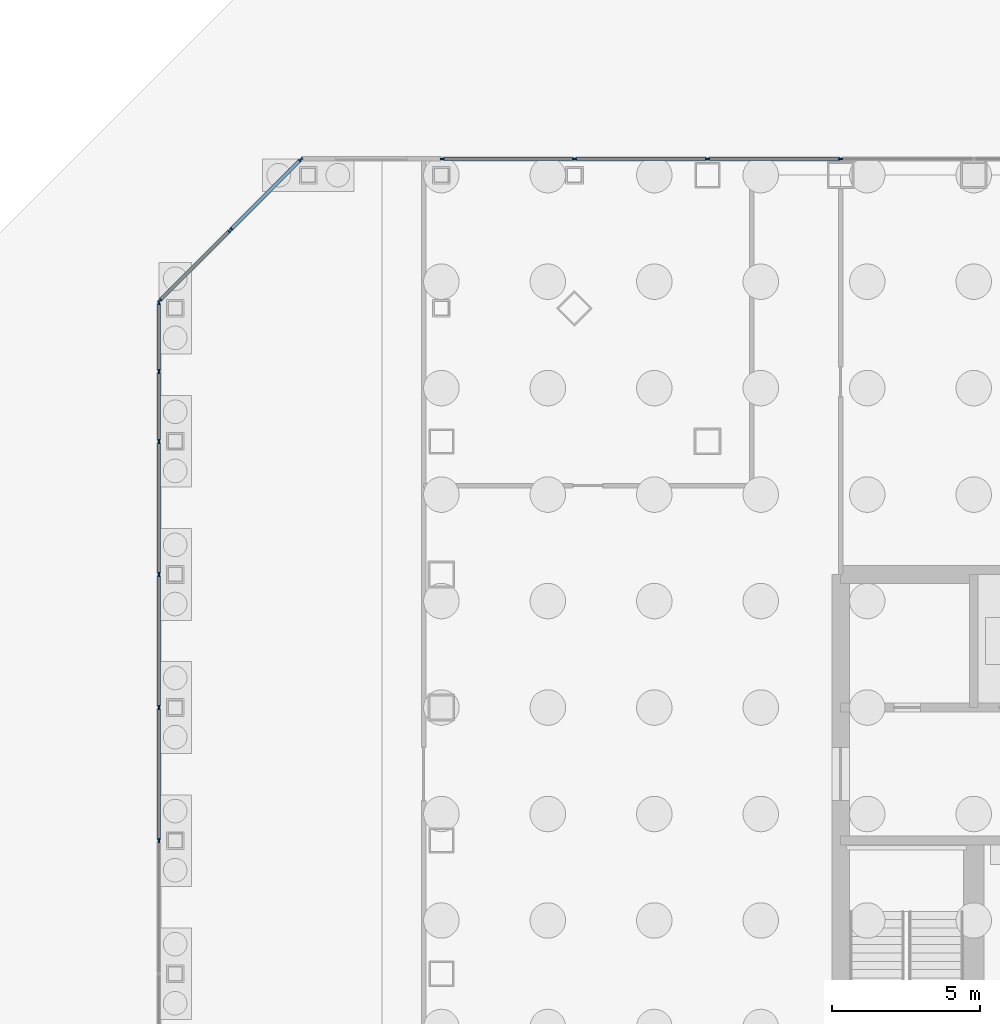
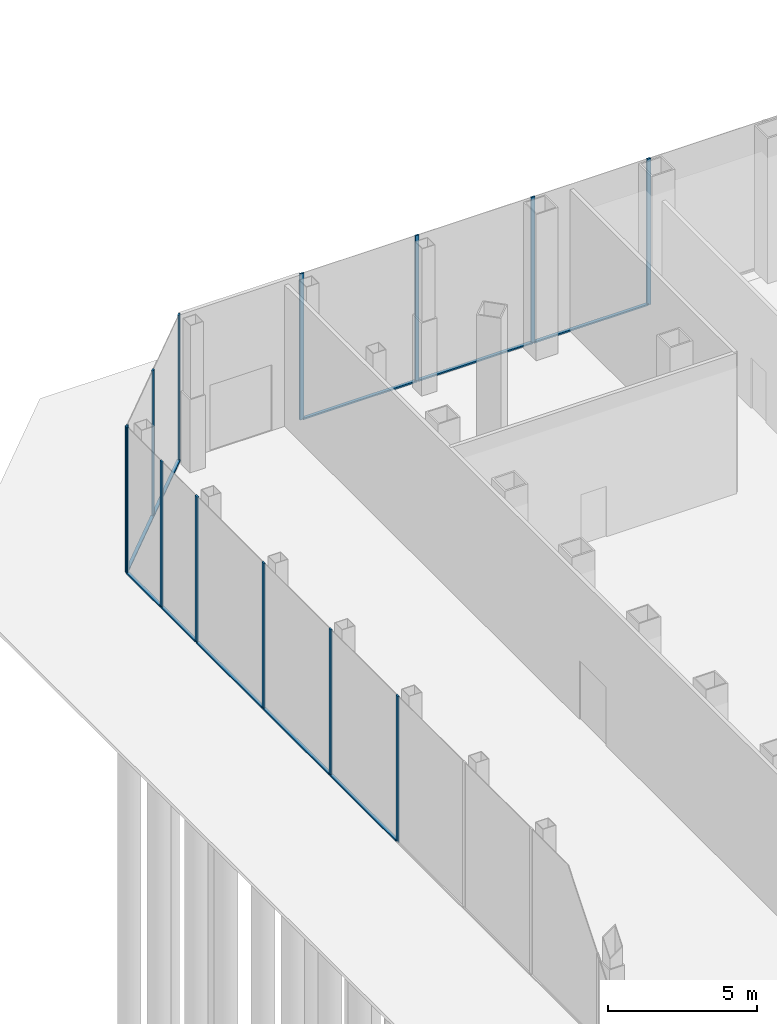
# One storey, part 11 of 24: 23 members, 3 elements without a shape of their own.
"""IFC4 building model written with IfcOpenShell, lengths in metres."""

from ifc_helpers import new_model, si_unit, direction, frame, origin, origin_2d, place, context, subcontext, project, spatial, rectangle, extrude, material, material_profile, profile_set, type_object, element, aggregate, save


model = new_model("IFC4")

# Units and contexts
model_context = context("Model", 3, precision=1e-05, world=origin(), true_north=direction((0.0, 1.0)))
body_context = subcontext(model_context, "Body", "Model", "MODEL_VIEW")
ifc_project = project(units=[si_unit("LENGTHUNIT", "METRE"), si_unit("AREAUNIT", "SQUARE_METRE"), si_unit("VOLUMEUNIT", "CUBIC_METRE"), si_unit("PLANEANGLEUNIT", "RADIAN"), si_unit("MASSUNIT", "GRAM", prefix="KILO")], contexts=[model_context])

# Site, building, storey
site_placement = place(None, origin())
site = spatial("IfcSite", under=ifc_project, at=site_placement, CompositionType="ELEMENT")
building_placement = place(site_placement, origin())
building = spatial("IfcBuilding", under=site, at=building_placement, Name="Corais Broadcast Tower", CompositionType="ELEMENT")
storey_placement = place(building_placement, origin())
storey = spatial("IfcBuildingStorey", under=building, at=storey_placement, Name="L00", CompositionType="ELEMENT", Elevation=0.0)

# Curtain wall, members
ifc_material_1 = material(Name="Aluminium and glass", Category="aluminium")
curtain_wall_type = type_object("IfcCurtainWallType", Name="Storefront curtain wall CW5", PredefinedType="NOTDEFINED", material=ifc_material_1)
curtain_wall_1_placement = place(storey_placement, origin())
curtain_wall_1 = element("IfcCurtainWall", 1, at=curtain_wall_1_placement, inside=storey, type_object=curtain_wall_type, Name="CW5 curtain wall L00 2", PredefinedType="NOTDEFINED")
ifc_material_2 = material(Name="Aluminium 6063-T6", Category="aluminium")
ifc_material_profile_1 = material_profile(ifc_material_2, rectangle(XDim=0.06005859375, YDim=0.14990234375, at=origin_2d()), Name="Mullion CW5 60x150")
ifc_profile_set_1 = profile_set([ifc_material_profile_1], Name="Aluminium 6063-T6")
member_type_1 = type_object("IfcMemberType", Name="Mullion CW5 60x150", PredefinedType="MULLION", material=ifc_profile_set_1)
member_1_placement = place(storey_placement, frame((-9.550048828125, 31.5, 0.0), z_axis=(0.0, 0.0, 1.0), x_axis=(-1.0, 0.0, 0.0)))
member_1 = element("IfcMember", 2, at=member_1_placement, type_object=member_type_1, Name="CW5 mullion 8", PredefinedType="MULLION", context=body_context, shape_type="SweptSolid", body=[
    extrude(rectangle(XDim=0.06005859375, YDim=0.14990234375, at=origin_2d()), origin(), (0.0, 0.0, 1.0), 6.0),
])
member_2_placement = place(storey_placement, frame((-9.550048828125, 36.0, 0.0), z_axis=(0.0, 0.0, 1.0), x_axis=(-1.0, 0.0, 0.0)))
member_2 = element("IfcMember", 3, at=member_2_placement, type_object=member_type_1, Name="CW5 mullion 9", PredefinedType="MULLION", context=body_context, shape_type="SweptSolid", body=[
    extrude(rectangle(XDim=0.06005859375, YDim=0.14990234375, at=origin_2d()), origin(), (0.0, 0.0, 1.0), 6.0),
])
member_3_placement = place(storey_placement, frame((-9.550048828125, 40.5, 0.0), z_axis=(0.0, 0.0, 1.0), x_axis=(-1.0, 0.0, 0.0)))
member_3 = element("IfcMember", 4, at=member_3_placement, type_object=member_type_1, Name="CW5 mullion 10", PredefinedType="MULLION", context=body_context, shape_type="SweptSolid", body=[
    extrude(rectangle(XDim=0.06005859375, YDim=0.14990234375, at=origin_2d()), origin(), (0.0, 0.0, 1.0), 6.0),
])
member_4_placement = place(storey_placement, frame((-9.550048828125, 45.0, 0.0), z_axis=(0.0, 0.0, 1.0), x_axis=(-1.0, 0.0, 0.0)))
member_4 = element("IfcMember", 5, at=member_4_placement, type_object=member_type_1, Name="CW5 mullion 11", PredefinedType="MULLION", context=body_context, shape_type="SweptSolid", body=[
    extrude(rectangle(XDim=0.06005859375, YDim=0.14990234375, at=origin_2d()), origin(), (0.0, 0.0, 1.0), 6.0),
])
member_5_placement = place(storey_placement, frame((-9.550048828125, 47.364013671875, 0.0), z_axis=(0.0, 0.0, 1.0), x_axis=(-1.0, 0.0, 0.0)))
member_5 = element("IfcMember", 6, at=member_5_placement, type_object=member_type_1, Name="CW5 mullion 12", PredefinedType="MULLION", context=body_context, shape_type="SweptSolid", body=[
    extrude(rectangle(XDim=0.06005859375, YDim=0.14990234375, at=origin_2d()), origin(), (0.0, 0.0, 1.0), 6.0),
])
member_6_placement = place(storey_placement, frame((-9.550048828125, 49.69775390625, 0.0), z_axis=(0.0, 0.0, 1.0), x_axis=(-1.0, 0.0, 0.0)))
member_6 = element("IfcMember", 7, at=member_6_placement, type_object=member_type_1, Name="CW5 mullion 13", PredefinedType="MULLION", context=body_context, shape_type="SweptSolid", body=[
    extrude(rectangle(XDim=0.06005859375, YDim=0.14990234375, at=origin_2d()), origin(), (0.0, 0.0, 1.0), 6.0),
])

curtain_wall_2_placement = place(storey_placement, origin())
curtain_wall_2 = element("IfcCurtainWall", 8, at=curtain_wall_2_placement, inside=storey, type_object=curtain_wall_type, Name="CW5 curtain wall L00 3", PredefinedType="NOTDEFINED")
member_7_placement = place(storey_placement, frame((-9.52880859375, 49.7490234375, 0.0), z_axis=(0.0, 0.0, 1.0), x_axis=(-0.707106781187, 0.707106781187, 0.0)))
member_7 = element("IfcMember", 9, at=member_7_placement, type_object=member_type_1, Name="CW5 mullion 1", PredefinedType="MULLION", context=body_context, shape_type="SweptSolid", body=[
    extrude(rectangle(XDim=0.06005859375, YDim=0.14990234375, at=origin_2d()), origin(), (0.0, 0.0, 1.0), 6.0),
])
member_8_placement = place(storey_placement, frame((-7.138916015625, 52.138916015625, 0.0), z_axis=(0.0, 0.0, 1.0), x_axis=(-0.707106781187, 0.707106781187, 0.0)))
member_8 = element("IfcMember", 10, at=member_8_placement, type_object=member_type_1, Name="CW5 mullion 2", PredefinedType="MULLION", context=body_context, shape_type="SweptSolid", body=[
    extrude(rectangle(XDim=0.06005859375, YDim=0.14990234375, at=origin_2d()), origin(), (0.0, 0.0, 1.0), 6.0),
])
member_9_placement = place(storey_placement, frame((-4.7490234375, 54.52880859375, 0.0), z_axis=(0.0, 0.0, 1.0), x_axis=(-0.707106781187, 0.707106781187, 0.0)))
member_9 = element("IfcMember", 11, at=member_9_placement, type_object=member_type_1, Name="CW5 mullion 3", PredefinedType="MULLION", context=body_context, shape_type="SweptSolid", body=[
    extrude(rectangle(XDim=0.06005859375, YDim=0.14990234375, at=origin_2d()), origin(), (0.0, 0.0, 1.0), 6.0),
])

curtain_wall_3_placement = place(storey_placement, origin())
curtain_wall_3 = element("IfcCurtainWall", 12, at=curtain_wall_3_placement, inside=storey, type_object=curtain_wall_type, Name="CW5 curtain wall L00 4", PredefinedType="NOTDEFINED")
member_10_placement = place(storey_placement, frame((0.030029296875, 54.550048828125, 0.0), z_axis=(0.0, 0.0, 1.0), x_axis=(0.0, 1.0, 0.0)))
member_10 = element("IfcMember", 13, at=member_10_placement, type_object=member_type_1, Name="CW5 mullion 1", PredefinedType="MULLION", context=body_context, shape_type="SweptSolid", body=[
    extrude(rectangle(XDim=0.06005859375, YDim=0.14990234375, at=origin_2d()), origin(), (0.0, 0.0, 1.0), 6.0),
])
member_11_placement = place(storey_placement, frame((4.5, 54.550048828125, 0.0), z_axis=(0.0, 0.0, 1.0), x_axis=(0.0, 1.0, 0.0)))
member_11 = element("IfcMember", 14, at=member_11_placement, type_object=member_type_1, Name="CW5 mullion 2", PredefinedType="MULLION", context=body_context, shape_type="SweptSolid", body=[
    extrude(rectangle(XDim=0.06005859375, YDim=0.14990234375, at=origin_2d()), origin(), (0.0, 0.0, 1.0), 6.0),
])
member_12_placement = place(storey_placement, frame((9.0, 54.550048828125, 0.0), z_axis=(0.0, 0.0, 1.0), x_axis=(0.0, 1.0, 0.0)))
member_12 = element("IfcMember", 15, at=member_12_placement, type_object=member_type_1, Name="CW5 mullion 3", PredefinedType="MULLION", context=body_context, shape_type="SweptSolid", body=[
    extrude(rectangle(XDim=0.06005859375, YDim=0.14990234375, at=origin_2d()), origin(), (0.0, 0.0, 1.0), 6.0),
])
member_13_placement = place(storey_placement, frame((13.5, 54.550048828125, 0.0), z_axis=(0.0, 0.0, 1.0), x_axis=(0.0, 1.0, 0.0)))
member_13 = element("IfcMember", 16, at=member_13_placement, type_object=member_type_1, Name="CW5 mullion 4", PredefinedType="MULLION", context=body_context, shape_type="SweptSolid", body=[
    extrude(rectangle(XDim=0.06005859375, YDim=0.14990234375, at=origin_2d()), origin(), (0.0, 0.0, 1.0), 6.0),
])

# Member
ifc_material_3 = material(Name="Aluminium 6063-T6", Category="aluminium")
ifc_material_profile_2 = material_profile(ifc_material_3, rectangle(XDim=0.1201171875, YDim=0.06005859375, at=origin_2d()), Name="Transom CW5 60x120")
ifc_profile_set_2 = profile_set([ifc_material_profile_2], Name="Aluminium 6063-T6")
member_type_2 = type_object("IfcMemberType", Name="Transom CW5 60x120", PredefinedType="USERDEFINED", material=ifc_profile_set_2)
member_14_placement = place(storey_placement, frame((-9.550048828125, 31.530029296875, 0.030029296875), z_axis=(0.0, 1.0, 0.0), x_axis=(-1.0, 0.0, 0.0)))
member_14 = element("IfcMember", 17, at=member_14_placement, type_object=member_type_2, Name="CW5 transom 8.1", ObjectType="TRANSOM", PredefinedType="USERDEFINED", context=body_context, shape_type="SweptSolid", body=[
    extrude(rectangle(XDim=0.1201171875, YDim=0.06005859375, at=origin_2d()), origin(), (0.0, 0.0, 1.0), 4.43994140625),
])

member_15_placement = place(storey_placement, frame((-9.550048828125, 36.030029296875, 0.030029296875), z_axis=(0.0, 1.0, 0.0), x_axis=(-1.0, 0.0, 0.0)))
member_15 = element("IfcMember", 18, at=member_15_placement, type_object=member_type_2, Name="CW5 transom 9.1", ObjectType="TRANSOM", PredefinedType="USERDEFINED", context=body_context, shape_type="SweptSolid", body=[
    extrude(rectangle(XDim=0.1201171875, YDim=0.06005859375, at=origin_2d()), origin(), (0.0, 0.0, 1.0), 4.43994140625),
])

member_16_placement = place(storey_placement, frame((-9.550048828125, 40.530029296875, 0.030029296875), z_axis=(0.0, 1.0, 0.0), x_axis=(-1.0, 0.0, 0.0)))
member_16 = element("IfcMember", 19, at=member_16_placement, type_object=member_type_2, Name="CW5 transom 10.1", ObjectType="TRANSOM", PredefinedType="USERDEFINED", context=body_context, shape_type="SweptSolid", body=[
    extrude(rectangle(XDim=0.1201171875, YDim=0.06005859375, at=origin_2d()), origin(), (0.0, 0.0, 1.0), 4.43994140625),
])

member_17_placement = place(storey_placement, frame((-9.550048828125, 45.030029296875, 0.030029296875), z_axis=(0.0, 1.0, 0.0), x_axis=(-1.0, 0.0, 0.0)))
member_17 = element("IfcMember", 20, at=member_17_placement, type_object=member_type_2, Name="CW5 transom 11.1", ObjectType="TRANSOM", PredefinedType="USERDEFINED", context=body_context, shape_type="SweptSolid", body=[
    extrude(rectangle(XDim=0.1201171875, YDim=0.06005859375, at=origin_2d()), origin(), (0.0, 0.0, 1.0), 2.303955078125),
])

member_18_placement = place(storey_placement, frame((-9.550048828125, 47.393798828125, 0.030029296875), z_axis=(0.0, 1.0, 0.0), x_axis=(-1.0, 0.0, 0.0)))
member_18 = element("IfcMember", 21, at=member_18_placement, type_object=member_type_2, Name="CW5 transom 12.1", ObjectType="TRANSOM", PredefinedType="USERDEFINED", context=body_context, shape_type="SweptSolid", body=[
    extrude(rectangle(XDim=0.1201171875, YDim=0.06005859375, at=origin_2d()), origin(), (0.0, 0.0, 1.0), 2.27392578125),
])

aggregate(curtain_wall_1, [member_1, member_2, member_3, member_4, member_5, member_6, member_14, member_15, member_16, member_17, member_18])

member_19_placement = place(storey_placement, frame((-9.507568359375, 49.770263671875, 0.030029296875), z_axis=(0.707106781187, 0.707106781187, 0.0), x_axis=(-0.707106781187, 0.707106781187, 0.0)))
member_19 = element("IfcMember", 22, at=member_19_placement, type_object=member_type_2, Name="CW5 transom 1.1", ObjectType="TRANSOM", PredefinedType="USERDEFINED", context=body_context, shape_type="SweptSolid", body=[
    extrude(rectangle(XDim=0.1201171875, YDim=0.06005859375, at=origin_2d()), origin(), (0.0, 0.0, 1.0), 3.31982421875),
])

member_20_placement = place(storey_placement, frame((-7.11767578125, 52.16015625, 0.030029296875), z_axis=(0.707106781187, 0.707106781187, 0.0), x_axis=(-0.707106781187, 0.707106781187, 0.0)))
member_20 = element("IfcMember", 23, at=member_20_placement, type_object=member_type_2, Name="CW5 transom 2.1", ObjectType="TRANSOM", PredefinedType="USERDEFINED", context=body_context, shape_type="SweptSolid", body=[
    extrude(rectangle(XDim=0.1201171875, YDim=0.06005859375, at=origin_2d()), origin(), (0.0, 0.0, 1.0), 3.31982421875),
])

aggregate(curtain_wall_2, [member_7, member_8, member_9, member_19, member_20])

member_21_placement = place(storey_placement, frame((0.06005859375, 54.550048828125, 0.030029296875), z_axis=(1.0, 0.0, 0.0), x_axis=(0.0, 1.0, 0.0)))
member_21 = element("IfcMember", 24, at=member_21_placement, type_object=member_type_2, Name="CW5 transom 1.1", ObjectType="TRANSOM", PredefinedType="USERDEFINED", context=body_context, shape_type="SweptSolid", body=[
    extrude(rectangle(XDim=0.1201171875, YDim=0.06005859375, at=origin_2d()), origin(), (0.0, 0.0, 1.0), 4.409912109375),
])

member_22_placement = place(storey_placement, frame((4.530029296875, 54.550048828125, 0.030029296875), z_axis=(1.0, 0.0, 0.0), x_axis=(0.0, 1.0, 0.0)))
member_22 = element("IfcMember", 25, at=member_22_placement, type_object=member_type_2, Name="CW5 transom 2.1", ObjectType="TRANSOM", PredefinedType="USERDEFINED", context=body_context, shape_type="SweptSolid", body=[
    extrude(rectangle(XDim=0.1201171875, YDim=0.06005859375, at=origin_2d()), origin(), (0.0, 0.0, 1.0), 4.43994140625),
])

member_23_placement = place(storey_placement, frame((9.030029296875, 54.550048828125, 0.030029296875), z_axis=(1.0, 0.0, 0.0), x_axis=(0.0, 1.0, 0.0)))
member_23 = element("IfcMember", 26, at=member_23_placement, type_object=member_type_2, Name="CW5 transom 3.1", ObjectType="TRANSOM", PredefinedType="USERDEFINED", context=body_context, shape_type="SweptSolid", body=[
    extrude(rectangle(XDim=0.1201171875, YDim=0.06005859375, at=origin_2d()), origin(), (0.0, 0.0, 1.0), 4.43994140625),
])

aggregate(curtain_wall_3, [member_10, member_11, member_12, member_13, member_21, member_22, member_23])

save(model, "model.ifc")
